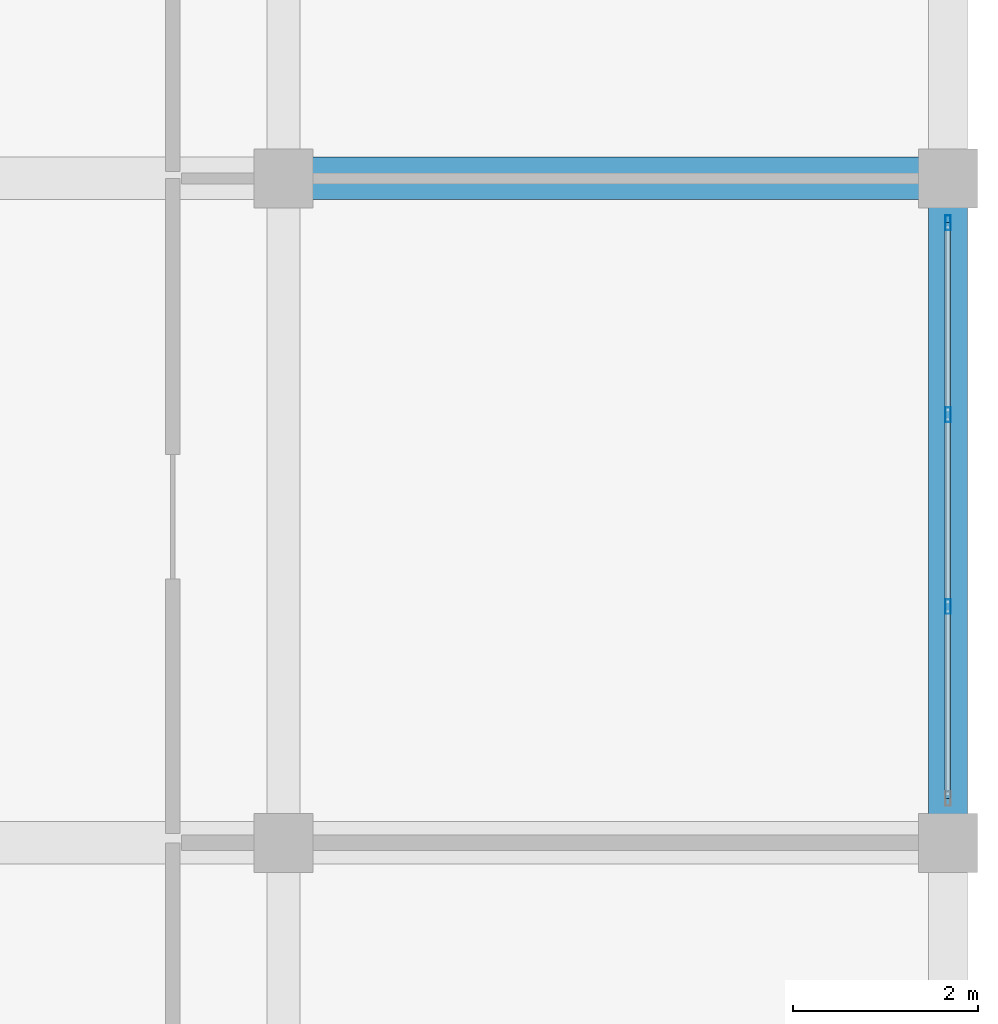
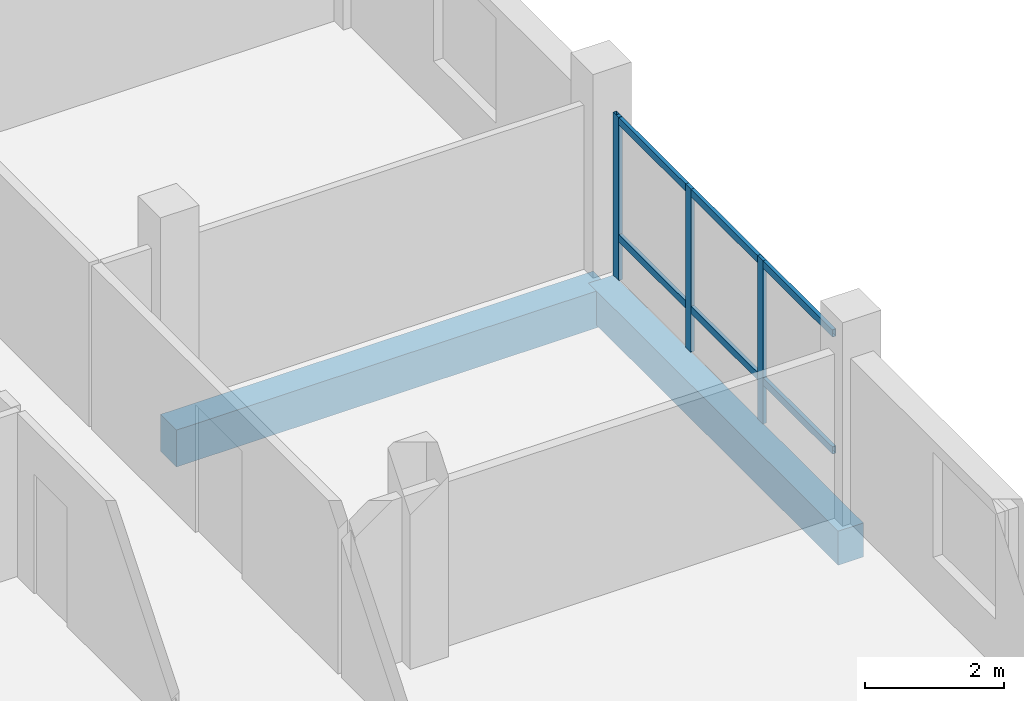
# One storey, part 94 of 128: 5 members, 2 beams, 1 element without a shape of its own.
"""IFC4 building model written with IfcOpenShell, lengths in metres."""

from ifc_helpers import new_model, si_unit, direction, frame, origin, origin_2d, place, context, subcontext, project, spatial, rectangle, hollow_rectangle, extrude, material, material_profile, profile_set, type_object, element, aggregate, save


model = new_model("IFC4")

# Units and contexts
model_context = context("Model", 3, precision=1e-05, world=origin(), true_north=direction((0.0, 1.0)))
body_context = subcontext(model_context, "Body", "Model", "MODEL_VIEW")
ifc_project = project(units=[si_unit("LENGTHUNIT", "METRE"), si_unit("AREAUNIT", "SQUARE_METRE"), si_unit("VOLUMEUNIT", "CUBIC_METRE"), si_unit("PLANEANGLEUNIT", "RADIAN"), si_unit("MASSUNIT", "GRAM", prefix="KILO")], contexts=[model_context])

# Site, building, storey
site_placement = place(None, origin())
site = spatial("IfcSite", under=ifc_project, at=site_placement, CompositionType="ELEMENT")
building_placement = place(site_placement, origin())
building = spatial("IfcBuilding", under=site, at=building_placement, Name="Zornivar Specialist Clinic", CompositionType="ELEMENT")
storey_placement = place(building_placement, frame((0.0, 0.0, 4.5)))
storey = spatial("IfcBuildingStorey", under=building, at=storey_placement, Name="L01", CompositionType="ELEMENT", Elevation=4.5)

# Beams
ifc_material_1 = material(Name="Concrete C30/37", Category="concrete")
ifc_material_profile_1 = material_profile(ifc_material_1, rectangle(XDim=0.4599609375, YDim=0.64990234375, at=origin_2d()), Name="RC 460x650")
ifc_profile_set_1 = profile_set([ifc_material_profile_1], Name="Concrete C30/37")
beam_type_1 = type_object("IfcBeamType", Name="BM-RC-460x650", PredefinedType="BEAM", material=ifc_profile_set_1)
beam_1_placement = place(storey_placement, frame((158.39990234375, 100.800048828125, -0.64501953125), z_axis=(1.0, 0.0, 0.0), x_axis=(0.0, 1.0, 0.0)))
element("IfcBeam", 1, at=beam_1_placement, inside=storey, type_object=beam_type_1, Name="bm:V6:L01:x:1008:3", PredefinedType="BEAM", context=body_context, shape_type="SweptSolid", body=[
    extrude(rectangle(XDim=0.4599609375, YDim=0.64990234375, at=origin_2d()), origin(), (0.0, 0.0, 1.0), 7.2001953125),
])
ifc_material_2 = material(Name="Concrete C30/37", Category="concrete")
ifc_material_profile_2 = material_profile(ifc_material_2, rectangle(XDim=0.419921875, YDim=0.60009765625, at=origin_2d()), Name="RC 420x600")
ifc_profile_set_2 = profile_set([ifc_material_profile_2], Name="Concrete C30/37")
beam_type_2 = type_object("IfcBeamType", Name="BM-RC-SPANDREL-420x600", PredefinedType="SPANDREL", material=ifc_profile_set_2)
beam_2_placement = place(storey_placement, frame((165.60009765625, 93.60009765625, -0.6201171875), z_axis=(0.0, 1.0, 0.0), x_axis=(-1.0, 0.0, 0.0)))
element("IfcBeam", 2, at=beam_2_placement, inside=storey, type_object=beam_type_2, Name="bm:V6:L01:y:1656:4", PredefinedType="SPANDREL", context=body_context, shape_type="SweptSolid", body=[
    extrude(rectangle(XDim=0.419921875, YDim=0.60009765625, at=origin_2d()), origin(), (0.0, 0.0, 1.0), 7.199951171875),
])

# Curtain wall, members
ifc_material_3 = material(Name="Aluminium and Low-E Glass Curtain Wall", Category="aluminium")
curtain_wall_type = type_object("IfcCurtainWallType", Name="CW-LAB-NORTH", PredefinedType="NOTDEFINED", material=ifc_material_3)
curtain_wall_placement = place(storey_placement, origin())
curtain_wall = element("IfcCurtainWall", 3, at=curtain_wall_placement, inside=storey, type_object=curtain_wall_type, Name="cw:V6:L01:08", PredefinedType="NOTDEFINED")
ifc_material_4 = material(Name="Aluminium AW-6060", Category="aluminium")
ifc_material_profile_3 = material_profile(ifc_material_4, hollow_rectangle(XDim=0.06005859375, YDim=0.159912109375, WallThickness=0.00390625, at=origin_2d()), Name="ALU 60x160x4")
ifc_profile_set_3 = profile_set([ifc_material_profile_3], Name="Aluminium AW-6060")
member_type_1 = type_object("IfcMemberType", Name="CWM-MUL-160", PredefinedType="MULLION", material=ifc_profile_set_3)
member_1_placement = place(storey_placement, frame((165.60009765625, 96.159912109375, 0.0), z_axis=(0.0, 0.0, 1.0), x_axis=(1.0, 0.0, 0.0)))
member_1 = element("IfcMember", 4, at=member_1_placement, type_object=member_type_1, Name="cw:V6:L01:08:mul:1", PredefinedType="MULLION", context=body_context, shape_type="SweptSolid", body=[
    extrude(hollow_rectangle(XDim=0.06005859375, YDim=0.159912109375, WallThickness=0.00390625, at=origin_2d()), origin(), (0.0, 0.0, 1.0), 2.8701171875),
])
member_2_placement = place(storey_placement, frame((165.60009765625, 98.239990234375, 0.0), z_axis=(0.0, 0.0, 1.0), x_axis=(1.0, 0.0, 0.0)))
member_2 = element("IfcMember", 5, at=member_2_placement, type_object=member_type_1, Name="cw:V6:L01:08:mul:2", PredefinedType="MULLION", context=body_context, shape_type="SweptSolid", body=[
    extrude(hollow_rectangle(XDim=0.06005859375, YDim=0.159912109375, WallThickness=0.00390625, at=origin_2d()), origin(), (0.0, 0.0, 1.0), 2.8701171875),
])
member_3_placement = place(storey_placement, frame((165.60009765625, 100.320068359375, 0.0), z_axis=(0.0, 0.0, 1.0), x_axis=(1.0, 0.0, 0.0)))
member_3 = element("IfcMember", 6, at=member_3_placement, type_object=member_type_1, Name="cw:V6:L01:08:mul:3", PredefinedType="MULLION", context=body_context, shape_type="SweptSolid", body=[
    extrude(hollow_rectangle(XDim=0.06005859375, YDim=0.159912109375, WallThickness=0.00390625, at=origin_2d()), origin(), (0.0, 0.0, 1.0), 2.8701171875),
])
ifc_material_5 = material(Name="Aluminium AW-6060", Category="aluminium")
ifc_material_profile_4 = material_profile(ifc_material_5, hollow_rectangle(XDim=0.06005859375, YDim=0.1298828125, WallThickness=0.00390625, at=origin_2d()), Name="ALU 60x130x4")
ifc_profile_set_4 = profile_set([ifc_material_profile_4], Name="Aluminium AW-6060")
member_type_2 = type_object("IfcMemberType", Name="CWM-TRN-130", PredefinedType="USERDEFINED", material=ifc_profile_set_4)
member_4_placement = place(storey_placement, frame((165.60009765625, 94.080078125, 0.74609375), z_axis=(0.0, 1.0, 0.0), x_axis=(-1.0, 0.0, 0.0)))
member_4 = element("IfcMember", 7, at=member_4_placement, type_object=member_type_2, Name="cw:V6:L01:08:trn:0", ObjectType="TRANSOM", PredefinedType="USERDEFINED", context=body_context, shape_type="SweptSolid", body=[
    extrude(hollow_rectangle(XDim=0.06005859375, YDim=0.1298828125, WallThickness=0.00390625, at=origin_2d()), origin(), (0.0, 0.0, 1.0), 6.239990234375),
])
member_5_placement = place(storey_placement, frame((165.60009765625, 94.080078125, 2.804931640625), z_axis=(0.0, 1.0, 0.0), x_axis=(-1.0, 0.0, 0.0)))
member_5 = element("IfcMember", 8, at=member_5_placement, type_object=member_type_2, Name="cw:V6:L01:08:trn:1", ObjectType="TRANSOM", PredefinedType="USERDEFINED", context=body_context, shape_type="SweptSolid", body=[
    extrude(hollow_rectangle(XDim=0.06005859375, YDim=0.1298828125, WallThickness=0.00390625, at=origin_2d()), origin(), (0.0, 0.0, 1.0), 6.239990234375),
])
aggregate(curtain_wall, [member_1, member_2, member_3, member_4, member_5])

save(model, "model.ifc")
